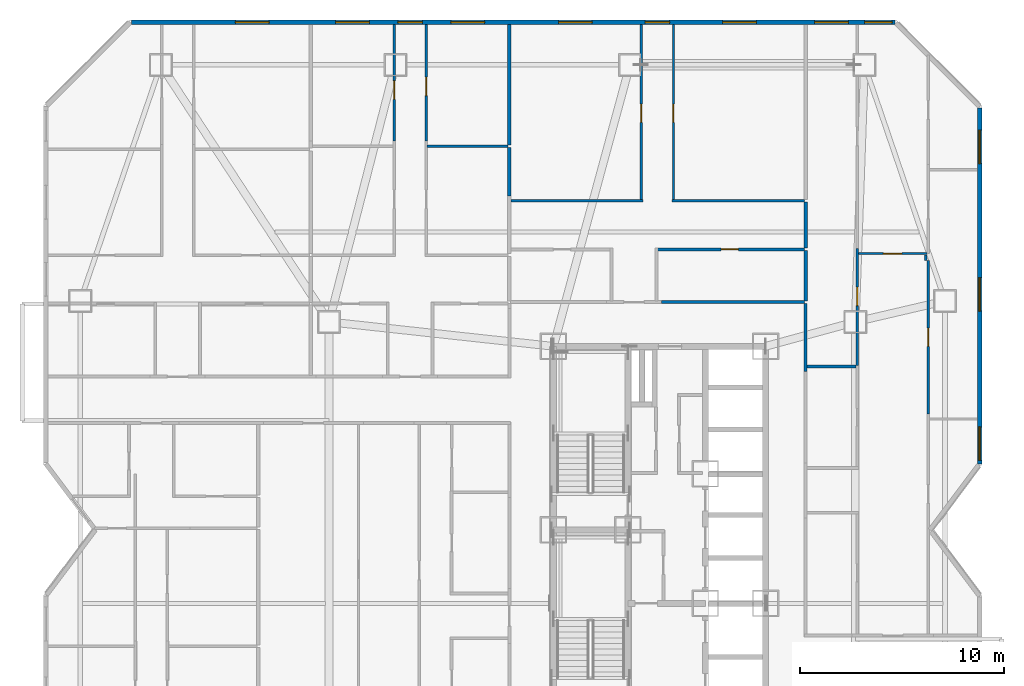
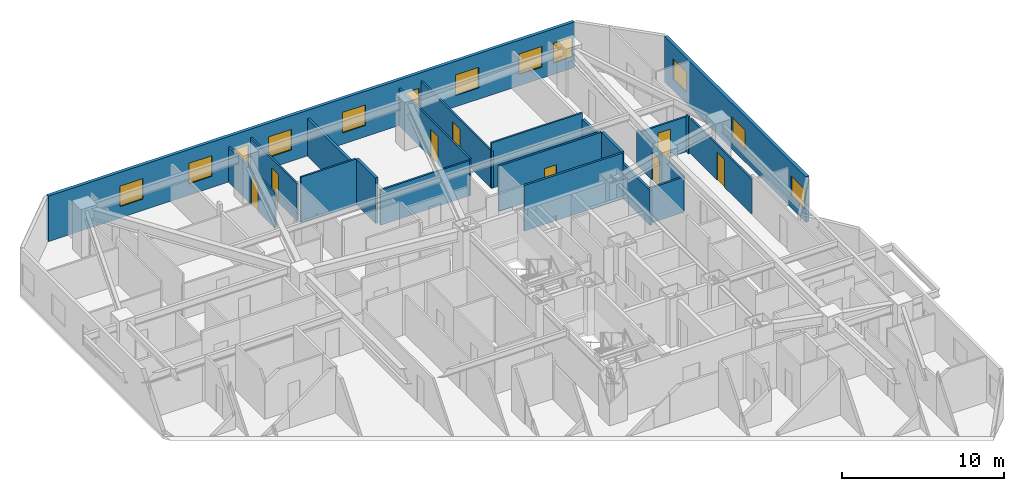
# One storey, part 13 of 17: 21 walls, 12 windows, 8 doors, 20 openings.
"""IFC4 building model written with IfcOpenShell, lengths in metres."""

from ifc_helpers import new_model, si_unit, direction, frame, frame_2d, origin, place, context, subcontext, project, spatial, rectangle, extrude, material, layer, layer_set, type_object, element, fill, save


model = new_model("IFC4")

# Units and contexts
model_context = context("Model", 3, precision=1e-05, world=origin(), true_north=direction((0.0, 1.0)))
body_context = subcontext(model_context, "Body", "Model", "MODEL_VIEW")
ifc_project = project(units=[si_unit("LENGTHUNIT", "METRE"), si_unit("AREAUNIT", "SQUARE_METRE"), si_unit("VOLUMEUNIT", "CUBIC_METRE"), si_unit("PLANEANGLEUNIT", "RADIAN"), si_unit("MASSUNIT", "GRAM", prefix="KILO")], contexts=[model_context])

# Site, building, storey
site_placement = place(None, origin())
site = spatial("IfcSite", under=ifc_project, at=site_placement, CompositionType="ELEMENT")
building_placement = place(site_placement, origin())
building = spatial("IfcBuilding", under=site, at=building_placement, Name="Khamvora Tower", CompositionType="ELEMENT")
storey_placement = place(building_placement, frame((0.0, 0.0, 73.449951171875)))
storey = spatial("IfcBuildingStorey", under=building, at=storey_placement, Name="L18", CompositionType="ELEMENT", Elevation=73.449951171875)

# Walls
ifc_material_1 = material(Name="Fire-Rated Drywall and Steel Stud", Category="steel")
ifc_layer_1 = layer(ifc_material_1, 0.14990234375)
ifc_layer_set_1 = layer_set([ifc_layer_1], Name="Fire-Rated Drywall and Steel Stud")
wall_type_1 = type_object("IfcWallType", Name="WAL-CORR-150", PredefinedType="STANDARD", material=ifc_layer_set_1)
wall_1_placement = place(storey_placement, frame((34.299072265625, 39.1650390625, 0.0), z_axis=(0.0, 0.0, 1.0), x_axis=(1.0, 0.0, 0.0)))
element("IfcWall", 1, at=wall_1_placement, inside=storey, type_object=wall_type_1, Name="L18 interior partition wall 034", PredefinedType="STANDARD", context=body_context, shape_type="SweptSolid", body=[
    extrude(rectangle(XDim=7.0009765625, YDim=0.14990234375, at=frame_2d((3.50048828125, 0.0))), origin(), (0.0, 0.0, 1.0), 3.429931640625),
])
wall_2_placement = place(storey_placement, frame((41.364990234375, 39.10009765625, 0.0), z_axis=(0.0, 0.0, 1.0), x_axis=(0.0, -1.0, 0.0)))
element("IfcWall", 2, at=wall_2_placement, inside=storey, type_object=wall_type_1, Name="L18 interior partition wall 040", PredefinedType="STANDARD", context=body_context, shape_type="SweptSolid", body=[
    extrude(rectangle(XDim=3.343017578125, YDim=0.14990234375, at=frame_2d((1.67138671875, 0.0))), origin(), (0.0, 0.0, 1.0), 2.64697265625),
])
ifc_material_2 = material(Name="Acoustic Double-Stud Fire Wall", Category="gypsum")
ifc_layer_2 = layer(ifc_material_2, 0.179931640625)
ifc_layer_set_2 = layer_set([ifc_layer_2], Name="Acoustic Double-Stud Fire Wall")
wall_type_2 = type_object("IfcWallType", Name="WAL-CORR-180", PredefinedType="STANDARD", material=ifc_layer_set_2)
wall_3_placement = place(storey_placement, frame((26.8349609375, 46.7470703125, 0.0), z_axis=(0.0, 0.0, 1.0), x_axis=(0.0, -1.0, 0.0)))
element("IfcWall", 3, at=wall_3_placement, inside=storey, type_object=wall_type_2, Name="L18 interior partition wall 125", PredefinedType="STANDARD", context=body_context, shape_type="SweptSolid", body=[
    extrude(rectangle(XDim=2.364013671875, YDim=0.179931640625, at=frame_2d((1.18212890625, 0.0))), origin(), (0.0, 0.0, 1.0), 3.429931640625),
])
wall_4_placement = place(storey_placement, frame((26.8349609375, 52.7880859375, 0.0), z_axis=(0.0, 0.0, 1.0), x_axis=(0.0, -1.0, 0.0)))
element("IfcWall", 4, at=wall_4_placement, inside=storey, type_object=wall_type_2, Name="L18 interior partition wall 126", PredefinedType="STANDARD", context=body_context, shape_type="SweptSolid", body=[
    extrude(rectangle(XDim=5.9111328125, YDim=0.179931640625, at=frame_2d((2.95556640625, 0.0))), origin(), (0.0, 0.0, 1.0), 2.802978515625),
])
wall_5_placement = place(storey_placement, frame((41.364990234375, 44.069091796875, 0.0), z_axis=(0.0, 0.0, 1.0), x_axis=(0.0, -1.0, 0.0)))
element("IfcWall", 5, at=wall_5_placement, inside=storey, type_object=wall_type_2, Name="L18 interior partition wall 146", PredefinedType="STANDARD", context=body_context, shape_type="SweptSolid", body=[
    extrude(rectangle(XDim=2.25, YDim=0.179931640625, at=frame_2d((1.125, 0.0))), origin(), (0.0, 0.0, 1.0), 2.95703125),
])
wall_6_placement = place(storey_placement, frame((41.364990234375, 41.68896484375, 0.0), z_axis=(0.0, 0.0, 1.0), x_axis=(0.0, -1.0, 0.0)))
element("IfcWall", 6, at=wall_6_placement, inside=storey, type_object=wall_type_2, Name="L18 interior partition wall 147", PredefinedType="STANDARD", context=body_context, shape_type="SweptSolid", body=[
    extrude(rectangle(XDim=2.458984375, YDim=0.179931640625, at=frame_2d((1.2294921875, 0.0))), origin(), (0.0, 0.0, 1.0), 3.429931640625),
])

# Wall, openings, windows
ifc_material_3 = material(Name="Precast concrete C40/50", Category="concrete")
ifc_layer_3 = layer(ifc_material_3, 0.219970703125)
ifc_layer_set_3 = layer_set([ifc_layer_3], Name="Precast concrete C40/50")
wall_type_3 = type_object("IfcWallType", Name="WAL-EXT-220", PredefinedType="STANDARD", material=ifc_layer_set_3)
wall_7_placement = place(storey_placement, frame((8.31494140625, 52.889892578125, 0.0), z_axis=(0.0, 0.0, 1.0), x_axis=(1.0, 0.0, 0.0)))
wall_7 = element("IfcWall", 7, at=wall_7_placement, inside=storey, type_object=wall_type_3, Name="L18 exterior facade wall 07.1", PredefinedType="STANDARD", context=body_context, shape_type="SweptSolid", body=[
    extrude(rectangle(XDim=37.43896484375, YDim=0.219970703125, at=frame_2d((18.719482421875, 0.0))), origin(), (0.0, 0.0, 1.0), 3.429931640625),
])
opening_1_placement = place(wall_7_placement, frame((5.093017578125, 0.0, 0.85009765625)))
opening_1 = element("IfcOpeningElement", 8, at=opening_1_placement, cuts=wall_7, Name="Opening WN-06", PredefinedType="OPENING", context=body_context, shape_type="SweptSolid", body=[
    extrude(rectangle(XDim=1.64990234375, YDim=1.550048828125, at=frame_2d((0.824951171875, 0.77490234375))), frame((0.0, 0.119873046875, 0.0), z_axis=(0.0, -1.0, 0.0), x_axis=(1.0, 0.0, 0.0)), (0.0, 0.0, 1.0), 0.239990234375),
])
opening_2_placement = place(wall_7_placement, frame((13.054931640625, 0.0, 0.800048828125)))
opening_2 = element("IfcOpeningElement", 9, at=opening_2_placement, cuts=wall_7, Name="Opening WN-03", PredefinedType="OPENING", context=body_context, shape_type="SweptSolid", body=[
    extrude(rectangle(XDim=1.199951171875, YDim=1.5, at=frame_2d((0.60009765625, 0.75))), frame((0.0, 0.119873046875, 0.0), z_axis=(0.0, -1.0, 0.0), x_axis=(1.0, 0.0, 0.0)), (0.0, 0.0, 1.0), 0.239990234375),
])
opening_3_placement = place(wall_7_placement, frame((10.0048828125, 0.0, 0.85009765625)))
opening_3 = element("IfcOpeningElement", 10, at=opening_3_placement, cuts=wall_7, Name="Opening WN-06", PredefinedType="OPENING", context=body_context, shape_type="SweptSolid", body=[
    extrude(rectangle(XDim=1.64990234375, YDim=1.550048828125, at=frame_2d((0.824951171875, 0.77490234375))), frame((0.0, 0.119873046875, 0.0), z_axis=(0.0, -1.0, 0.0), x_axis=(1.0, 0.0, 0.0)), (0.0, 0.0, 1.0), 0.239990234375),
])
opening_4_placement = place(wall_7_placement, frame((15.655029296875, 0.0, 0.85009765625)))
opening_4 = element("IfcOpeningElement", 11, at=opening_4_placement, cuts=wall_7, Name="Opening WN-06", PredefinedType="OPENING", context=body_context, shape_type="SweptSolid", body=[
    extrude(rectangle(XDim=1.64990234375, YDim=1.550048828125, at=frame_2d((0.824951171875, 0.77490234375))), frame((0.0, 0.119873046875, 0.0), z_axis=(0.0, -1.0, 0.0), x_axis=(1.0, 0.0, 0.0)), (0.0, 0.0, 1.0), 0.239990234375),
])
opening_5_placement = place(wall_7_placement, frame((25.18505859375, 0.0, 0.800048828125)))
opening_5 = element("IfcOpeningElement", 12, at=opening_5_placement, cuts=wall_7, Name="Opening WN-03", PredefinedType="OPENING", context=body_context, shape_type="SweptSolid", body=[
    extrude(rectangle(XDim=1.199951171875, YDim=1.5, at=frame_2d((0.60009765625, 0.75))), frame((0.0, 0.119873046875, 0.0), z_axis=(0.0, -1.0, 0.0), x_axis=(1.0, 0.0, 0.0)), (0.0, 0.0, 1.0), 0.239990234375),
])
opening_6_placement = place(wall_7_placement, frame((20.93505859375, 0.0, 0.85009765625)))
opening_6 = element("IfcOpeningElement", 13, at=opening_6_placement, cuts=wall_7, Name="Opening WN-06", PredefinedType="OPENING", context=body_context, shape_type="SweptSolid", body=[
    extrude(rectangle(XDim=1.64990234375, YDim=1.550048828125, at=frame_2d((0.824951171875, 0.77490234375))), frame((0.0, 0.119873046875, 0.0), z_axis=(0.0, -1.0, 0.0), x_axis=(1.0, 0.0, 0.0)), (0.0, 0.0, 1.0), 0.239990234375),
])
opening_7_placement = place(wall_7_placement, frame((28.985107421875, 0.0, 0.85009765625)))
opening_7 = element("IfcOpeningElement", 14, at=opening_7_placement, cuts=wall_7, Name="Opening WN-06", PredefinedType="OPENING", context=body_context, shape_type="SweptSolid", body=[
    extrude(rectangle(XDim=1.64990234375, YDim=1.550048828125, at=frame_2d((0.824951171875, 0.77490234375))), frame((0.0, 0.119873046875, 0.0), z_axis=(0.0, -1.0, 0.0), x_axis=(1.0, 0.0, 0.0)), (0.0, 0.0, 1.0), 0.239990234375),
])
opening_8_placement = place(wall_7_placement, frame((33.489990234375, 0.0, 0.85009765625)))
opening_8 = element("IfcOpeningElement", 15, at=opening_8_placement, cuts=wall_7, Name="Opening WN-06", PredefinedType="OPENING", context=body_context, shape_type="SweptSolid", body=[
    extrude(rectangle(XDim=1.64990234375, YDim=1.550048828125, at=frame_2d((0.824951171875, 0.77490234375))), frame((0.0, 0.119873046875, 0.0), z_axis=(0.0, -1.0, 0.0), x_axis=(1.0, 0.0, 0.0)), (0.0, 0.0, 1.0), 0.239990234375),
])
opening_9_placement = place(wall_7_placement, frame((35.94189453125, 0.0, 0.85009765625)))
opening_9 = element("IfcOpeningElement", 16, at=opening_9_placement, cuts=wall_7, Name="Opening WN-07", PredefinedType="OPENING", context=body_context, shape_type="SweptSolid", body=[
    extrude(rectangle(XDim=1.35009765625, YDim=1.5, at=frame_2d((0.675048828125, 0.75))), frame((0.0, 0.119873046875, 0.0), z_axis=(0.0, -1.0, 0.0), x_axis=(1.0, 0.0, 0.0)), (0.0, 0.0, 1.0), 0.239990234375),
])
ifc_material_4 = material(Name="Low-E Laminated Double Glazing", Category="glass")
window_type_1 = type_object("IfcWindowType", Name="WIN-VIS-1200x1500", PartitioningType="SINGLE_PANEL", PredefinedType="WINDOW", material=ifc_material_4)
window_1_placement = place(opening_2_placement, origin())
window_1 = element("IfcWindow", 17, at=window_1_placement, inside=storey, type_object=window_type_1, Name="L18 vision window 07.1.02", OverallHeight=1.5, OverallWidth=1.199951171875, PartitioningType="SINGLE_PANEL", PredefinedType="WINDOW", context=body_context, shape_type="SweptSolid", body=[
    extrude(rectangle(XDim=1.199951171875, YDim=1.5, at=frame_2d((0.60009765625, 0.75))), frame((0.0, 0.030029296875, 0.0), z_axis=(0.0, -1.0, 0.0), x_axis=(1.0, 0.0, 0.0)), (0.0, 0.0, 1.0), 0.06005859375),
])
fill(opening_2, window_1)
window_2_placement = place(opening_5_placement, origin())
window_2 = element("IfcWindow", 18, at=window_2_placement, inside=storey, type_object=window_type_1, Name="L18 vision window 07.1.05", OverallHeight=1.5, OverallWidth=1.199951171875, PartitioningType="SINGLE_PANEL", PredefinedType="WINDOW", context=body_context, shape_type="SweptSolid", body=[
    extrude(rectangle(XDim=1.199951171875, YDim=1.5, at=frame_2d((0.60009765625, 0.75))), frame((0.0, 0.030029296875, 0.0), z_axis=(0.0, -1.0, 0.0), x_axis=(1.0, 0.0, 0.0)), (0.0, 0.0, 1.0), 0.06005859375),
])
fill(opening_5, window_2)
window_type_2 = type_object("IfcWindowType", Name="WIN-VIS-1350x1500", PartitioningType="SINGLE_PANEL", PredefinedType="WINDOW", material=ifc_material_4)
window_3_placement = place(opening_9_placement, origin())
window_3 = element("IfcWindow", 19, at=window_3_placement, inside=storey, type_object=window_type_2, Name="L18 vision window 07.1.09", OverallHeight=1.5, OverallWidth=1.35009765625, PartitioningType="SINGLE_PANEL", PredefinedType="WINDOW", context=body_context, shape_type="SweptSolid", body=[
    extrude(rectangle(XDim=1.35009765625, YDim=1.5, at=frame_2d((0.675048828125, 0.75))), frame((0.0, 0.030029296875, 0.0), z_axis=(0.0, -1.0, 0.0), x_axis=(1.0, 0.0, 0.0)), (0.0, 0.0, 1.0), 0.06005859375),
])
fill(opening_9, window_3)
window_type_3 = type_object("IfcWindowType", Name="WIN-VIS-1650x1550", PartitioningType="SINGLE_PANEL", PredefinedType="WINDOW", material=ifc_material_4)
window_4_placement = place(opening_1_placement, origin())
window_4 = element("IfcWindow", 20, at=window_4_placement, inside=storey, type_object=window_type_3, Name="L18 vision window 07.1.01", OverallHeight=1.550048828125, OverallWidth=1.64990234375, PartitioningType="SINGLE_PANEL", PredefinedType="WINDOW", context=body_context, shape_type="SweptSolid", body=[
    extrude(rectangle(XDim=1.64990234375, YDim=1.550048828125, at=frame_2d((0.824951171875, 0.77490234375))), frame((0.0, 0.030029296875, 0.0), z_axis=(0.0, -1.0, 0.0), x_axis=(1.0, 0.0, 0.0)), (0.0, 0.0, 1.0), 0.06005859375),
])
fill(opening_1, window_4)
window_5_placement = place(opening_3_placement, origin())
window_5 = element("IfcWindow", 21, at=window_5_placement, inside=storey, type_object=window_type_3, Name="L18 vision window 07.1.03", OverallHeight=1.550048828125, OverallWidth=1.64990234375, PartitioningType="SINGLE_PANEL", PredefinedType="WINDOW", context=body_context, shape_type="SweptSolid", body=[
    extrude(rectangle(XDim=1.64990234375, YDim=1.550048828125, at=frame_2d((0.824951171875, 0.77490234375))), frame((0.0, 0.030029296875, 0.0), z_axis=(0.0, -1.0, 0.0), x_axis=(1.0, 0.0, 0.0)), (0.0, 0.0, 1.0), 0.06005859375),
])
fill(opening_3, window_5)
window_6_placement = place(opening_4_placement, origin())
window_6 = element("IfcWindow", 22, at=window_6_placement, inside=storey, type_object=window_type_3, Name="L18 vision window 07.1.04", OverallHeight=1.550048828125, OverallWidth=1.64990234375, PartitioningType="SINGLE_PANEL", PredefinedType="WINDOW", context=body_context, shape_type="SweptSolid", body=[
    extrude(rectangle(XDim=1.64990234375, YDim=1.550048828125, at=frame_2d((0.824951171875, 0.77490234375))), frame((0.0, 0.030029296875, 0.0), z_axis=(0.0, -1.0, 0.0), x_axis=(1.0, 0.0, 0.0)), (0.0, 0.0, 1.0), 0.06005859375),
])
fill(opening_4, window_6)
window_7_placement = place(opening_6_placement, origin())
window_7 = element("IfcWindow", 23, at=window_7_placement, inside=storey, type_object=window_type_3, Name="L18 vision window 07.1.06", OverallHeight=1.550048828125, OverallWidth=1.64990234375, PartitioningType="SINGLE_PANEL", PredefinedType="WINDOW", context=body_context, shape_type="SweptSolid", body=[
    extrude(rectangle(XDim=1.64990234375, YDim=1.550048828125, at=frame_2d((0.824951171875, 0.77490234375))), frame((0.0, 0.030029296875, 0.0), z_axis=(0.0, -1.0, 0.0), x_axis=(1.0, 0.0, 0.0)), (0.0, 0.0, 1.0), 0.06005859375),
])
fill(opening_6, window_7)
window_8_placement = place(opening_7_placement, origin())
window_8 = element("IfcWindow", 24, at=window_8_placement, inside=storey, type_object=window_type_3, Name="L18 vision window 07.1.07", OverallHeight=1.550048828125, OverallWidth=1.64990234375, PartitioningType="SINGLE_PANEL", PredefinedType="WINDOW", context=body_context, shape_type="SweptSolid", body=[
    extrude(rectangle(XDim=1.64990234375, YDim=1.550048828125, at=frame_2d((0.824951171875, 0.77490234375))), frame((0.0, 0.030029296875, 0.0), z_axis=(0.0, -1.0, 0.0), x_axis=(1.0, 0.0, 0.0)), (0.0, 0.0, 1.0), 0.06005859375),
])
fill(opening_7, window_8)
window_9_placement = place(opening_8_placement, origin())
window_9 = element("IfcWindow", 25, at=window_9_placement, inside=storey, type_object=window_type_3, Name="L18 vision window 07.1.08", OverallHeight=1.550048828125, OverallWidth=1.64990234375, PartitioningType="SINGLE_PANEL", PredefinedType="WINDOW", context=body_context, shape_type="SweptSolid", body=[
    extrude(rectangle(XDim=1.64990234375, YDim=1.550048828125, at=frame_2d((0.824951171875, 0.77490234375))), frame((0.0, 0.030029296875, 0.0), z_axis=(0.0, -1.0, 0.0), x_axis=(1.0, 0.0, 0.0)), (0.0, 0.0, 1.0), 0.06005859375),
])
fill(opening_8, window_9)

wall_8_placement = place(storey_placement, frame((49.889892578125, 48.68310546875, 0.0), z_axis=(0.0, 0.0, 1.0), x_axis=(0.0, -1.0, 0.0)))
wall_8 = element("IfcWall", 26, at=wall_8_placement, inside=storey, type_object=wall_type_3, Name="L18 exterior facade wall 09.1", PredefinedType="STANDARD", context=body_context, shape_type="SweptSolid", body=[
    extrude(rectangle(XDim=17.446044921875, YDim=0.219970703125, at=frame_2d((8.72314453125, 0.0))), origin(), (0.0, 0.0, 1.0), 3.429931640625),
])
opening_10_placement = place(wall_8_placement, frame((15.6279296875, 0.0, 0.85009765625)))
opening_10 = element("IfcOpeningElement", 27, at=opening_10_placement, cuts=wall_8, Name="Opening WN-06", PredefinedType="OPENING", context=body_context, shape_type="SweptSolid", body=[
    extrude(rectangle(XDim=1.64990234375, YDim=1.550048828125, at=frame_2d((0.824951171875, 0.77490234375))), frame((0.0, 0.119873046875, 0.0), z_axis=(0.0, -1.0, 0.0), x_axis=(1.0, 0.0, 0.0)), (0.0, 0.0, 1.0), 0.239990234375),
])
opening_11_placement = place(wall_8_placement, frame((8.31005859375, 0.0, 0.85009765625)))
opening_11 = element("IfcOpeningElement", 28, at=opening_11_placement, cuts=wall_8, Name="Opening WN-06", PredefinedType="OPENING", context=body_context, shape_type="SweptSolid", body=[
    extrude(rectangle(XDim=1.64990234375, YDim=1.550048828125, at=frame_2d((0.824951171875, 0.77490234375))), frame((0.0, 0.119873046875, 0.0), z_axis=(0.0, -1.0, 0.0), x_axis=(1.0, 0.0, 0.0)), (0.0, 0.0, 1.0), 0.239990234375),
])
opening_12_placement = place(wall_8_placement, frame((1.080078125, 0.0, 0.85009765625)))
opening_12 = element("IfcOpeningElement", 29, at=opening_12_placement, cuts=wall_8, Name="Opening WN-06", PredefinedType="OPENING", context=body_context, shape_type="SweptSolid", body=[
    extrude(rectangle(XDim=1.64990234375, YDim=1.550048828125, at=frame_2d((0.824951171875, 0.77490234375))), frame((0.0, 0.119873046875, 0.0), z_axis=(0.0, -1.0, 0.0), x_axis=(1.0, 0.0, 0.0)), (0.0, 0.0, 1.0), 0.239990234375),
])
window_10_placement = place(opening_10_placement, origin())
window_10 = element("IfcWindow", 30, at=window_10_placement, inside=storey, type_object=window_type_3, Name="L18 vision window 09.1.01", OverallHeight=1.550048828125, OverallWidth=1.64990234375, PartitioningType="SINGLE_PANEL", PredefinedType="WINDOW", context=body_context, shape_type="SweptSolid", body=[
    extrude(rectangle(XDim=1.64990234375, YDim=1.550048828125, at=frame_2d((0.824951171875, 0.77490234375))), frame((0.0, 0.030029296875, 0.0), z_axis=(0.0, -1.0, 0.0), x_axis=(1.0, 0.0, 0.0)), (0.0, 0.0, 1.0), 0.06005859375),
])
fill(opening_10, window_10)
window_11_placement = place(opening_11_placement, origin())
window_11 = element("IfcWindow", 31, at=window_11_placement, inside=storey, type_object=window_type_3, Name="L18 vision window 09.1.02", OverallHeight=1.550048828125, OverallWidth=1.64990234375, PartitioningType="SINGLE_PANEL", PredefinedType="WINDOW", context=body_context, shape_type="SweptSolid", body=[
    extrude(rectangle(XDim=1.64990234375, YDim=1.550048828125, at=frame_2d((0.824951171875, 0.77490234375))), frame((0.0, 0.030029296875, 0.0), z_axis=(0.0, -1.0, 0.0), x_axis=(1.0, 0.0, 0.0)), (0.0, 0.0, 1.0), 0.06005859375),
])
fill(opening_11, window_11)
window_12_placement = place(opening_12_placement, origin())
window_12 = element("IfcWindow", 32, at=window_12_placement, inside=storey, type_object=window_type_3, Name="L18 vision window 09.1.03", OverallHeight=1.550048828125, OverallWidth=1.64990234375, PartitioningType="SINGLE_PANEL", PredefinedType="WINDOW", context=body_context, shape_type="SweptSolid", body=[
    extrude(rectangle(XDim=1.64990234375, YDim=1.550048828125, at=frame_2d((0.824951171875, 0.77490234375))), frame((0.0, 0.030029296875, 0.0), z_axis=(0.0, -1.0, 0.0), x_axis=(1.0, 0.0, 0.0)), (0.0, 0.0, 1.0), 0.06005859375),
])
fill(opening_12, window_12)

# Wall, opening, door
ifc_material_5 = material(Name="Gypsum Plasterboard Partition", Category="gypsum")
ifc_layer_4 = layer(ifc_material_5, 0.1201171875)
ifc_layer_set_4 = layer_set([ifc_layer_4], Name="Gypsum Plasterboard Partition")
wall_type_4 = type_object("IfcWallType", Name="WAL-PART-120", PredefinedType="PARTITIONING", material=ifc_layer_set_4)
wall_9_placement = place(storey_placement, frame((21.18505859375, 47.06103515625, 0.0), z_axis=(0.0, 0.0, 1.0), x_axis=(0.0, 1.0, 0.0)))
wall_9 = element("IfcWall", 33, at=wall_9_placement, inside=storey, type_object=wall_type_4, Name="L18 interior partition wall 117", PredefinedType="PARTITIONING", context=body_context, shape_type="SweptSolid", body=[
    extrude(rectangle(XDim=5.72705078125, YDim=0.1201171875, at=frame_2d((2.863525390625, 0.0))), origin(), (0.0, 0.0, 1.0), 2.64697265625),
])
opening_13_placement = place(wall_9_placement, frame((2.052978515625, 0.0, 0.0)))
opening_13 = element("IfcOpeningElement", 34, at=opening_13_placement, cuts=wall_9, Name="Opening D-RM1", PredefinedType="OPENING", context=body_context, shape_type="SweptSolid", body=[
    extrude(rectangle(XDim=0.89990234375, YDim=2.10009765625, at=frame_2d((0.449951171875, 1.050048828125))), frame((0.0, 0.070068359375, 0.0), z_axis=(0.0, -1.0, 0.0), x_axis=(1.0, 0.0, 0.0)), (0.0, 0.0, 1.0), 0.14013671875),
])
ifc_material_6 = material(Name="Powder-Coated Steel and Hardwood Leaf", Category="steel")
door_type_1 = type_object("IfcDoorType", Name="DOR-ROOM-900", OperationType="NOTDEFINED", PredefinedType="DOOR", material=ifc_material_6)
door_1_placement = place(opening_13_placement, origin())
door_1 = element("IfcDoor", 35, at=door_1_placement, inside=storey, type_object=door_type_1, Name="L18 interior door 18WCH-18WCR2", OperationType="SINGLE_SWING_LEFT", OverallHeight=2.10009765625, OverallWidth=0.89990234375, PredefinedType="DOOR", context=body_context, shape_type="SweptSolid", body=[
    extrude(rectangle(XDim=0.89990234375, YDim=2.10009765625, at=frame_2d((0.449951171875, 1.050048828125))), frame((0.0, 0.02490234375, 0.0), z_axis=(0.0, -1.0, 0.0), x_axis=(1.0, 0.0, 0.0)), (0.0, 0.0, 1.0), 0.050048828125),
])
fill(opening_13, door_1)

wall_10_placement = place(storey_placement, frame((22.7548828125, 52.7880859375, 0.0), z_axis=(0.0, 0.0, 1.0), x_axis=(0.0, -1.0, 0.0)))
wall_10 = element("IfcWall", 36, at=wall_10_placement, inside=storey, type_object=wall_type_4, Name="L18 interior partition wall 120", PredefinedType="PARTITIONING", context=body_context, shape_type="SweptSolid", body=[
    extrude(rectangle(XDim=5.72705078125, YDim=0.1201171875, at=frame_2d((2.863525390625, 0.0))), origin(), (0.0, 0.0, 1.0), 2.802978515625),
])
opening_14_placement = place(wall_10_placement, frame((2.593994140625, 0.0, 0.0)))
opening_14 = element("IfcOpeningElement", 37, at=opening_14_placement, cuts=wall_10, Name="Opening D-RM1", PredefinedType="OPENING", context=body_context, shape_type="SweptSolid", body=[
    extrude(rectangle(XDim=0.89990234375, YDim=2.10009765625, at=frame_2d((0.449951171875, 1.050048828125))), frame((0.0, 0.070068359375, 0.0), z_axis=(0.0, -1.0, 0.0), x_axis=(1.0, 0.0, 0.0)), (0.0, 0.0, 1.0), 0.14013671875),
])
door_2_placement = place(opening_14_placement, origin())
door_2 = element("IfcDoor", 38, at=door_2_placement, inside=storey, type_object=door_type_1, Name="L18 interior door 18WCH-18WCR4", OperationType="SINGLE_SWING_RIGHT", OverallHeight=2.10009765625, OverallWidth=0.89990234375, PredefinedType="DOOR", context=body_context, shape_type="SweptSolid", body=[
    extrude(rectangle(XDim=0.89990234375, YDim=2.10009765625, at=frame_2d((0.449951171875, 1.050048828125))), frame((0.0, 0.02490234375, 0.0), z_axis=(0.0, -1.0, 0.0), x_axis=(1.0, 0.0, 0.0)), (0.0, 0.0, 1.0), 0.050048828125),
])
fill(opening_14, door_2)

# Walls
wall_11_placement = place(storey_placement, frame((22.80908203125, 46.81201171875, 0.0), z_axis=(0.0, 0.0, 1.0), x_axis=(1.0, 0.0, 0.0)))
element("IfcWall", 39, at=wall_11_placement, inside=storey, type_object=wall_type_4, Name="L18 interior partition wall 123", PredefinedType="PARTITIONING", context=body_context, shape_type="SweptSolid", body=[
    extrude(rectangle(XDim=3.9609375, YDim=0.1201171875, at=frame_2d((1.98046875, 0.0))), origin(), (0.0, 0.0, 1.0), 3.429931640625),
])
wall_12_placement = place(storey_placement, frame((26.9169921875, 44.134033203125, 0.0), z_axis=(0.0, 0.0, 1.0), x_axis=(1.0, 0.0, 0.0)))
element("IfcWall", 40, at=wall_12_placement, inside=storey, type_object=wall_type_4, Name="L18 interior partition wall 142", PredefinedType="PARTITIONING", context=body_context, shape_type="SweptSolid", body=[
    extrude(rectangle(XDim=6.462890625, YDim=0.1201171875, at=frame_2d((3.2314453125, 0.0))), origin(), (0.0, 0.0, 1.0), 2.64697265625),
])

# Wall, opening, door
wall_13_placement = place(storey_placement, frame((33.31494140625, 44.069091796875, 0.0), z_axis=(0.0, 0.0, 1.0), x_axis=(0.0, 1.0, 0.0)))
wall_13 = element("IfcWall", 41, at=wall_13_placement, inside=storey, type_object=wall_type_4, Name="L18 interior partition wall 143", PredefinedType="PARTITIONING", context=body_context, shape_type="SweptSolid", body=[
    extrude(rectangle(XDim=8.718994140625, YDim=0.1201171875, at=frame_2d((4.359375, 0.0))), origin(), (0.0, 0.0, 1.0), 2.802978515625),
])
opening_15_placement = place(wall_13_placement, frame((3.908935546875, 0.0, 0.0)))
opening_15 = element("IfcOpeningElement", 42, at=opening_15_placement, cuts=wall_13, Name="Opening D-RM1", PredefinedType="OPENING", context=body_context, shape_type="SweptSolid", body=[
    extrude(rectangle(XDim=0.89990234375, YDim=2.10009765625, at=frame_2d((0.449951171875, 1.050048828125))), frame((0.0, 0.070068359375, 0.0), z_axis=(0.0, -1.0, 0.0), x_axis=(1.0, 0.0, 0.0)), (0.0, 0.0, 1.0), 0.14013671875),
])
door_3_placement = place(opening_15_placement, origin())
door_3 = element("IfcDoor", 43, at=door_3_placement, inside=storey, type_object=door_type_1, Name="L18 interior door 18NAH-18NAR1", OperationType="SINGLE_SWING_RIGHT", OverallHeight=2.10009765625, OverallWidth=0.89990234375, PredefinedType="DOOR", context=body_context, shape_type="SweptSolid", body=[
    extrude(rectangle(XDim=0.89990234375, YDim=2.10009765625, at=frame_2d((0.449951171875, 1.050048828125))), frame((0.0, 0.02490234375, 0.0), z_axis=(0.0, -1.0, 0.0), x_axis=(1.0, 0.0, 0.0)), (0.0, 0.0, 1.0), 0.050048828125),
])
fill(opening_15, door_3)

wall_14_placement = place(storey_placement, frame((34.885009765625, 52.7880859375, 0.0), z_axis=(0.0, 0.0, 1.0), x_axis=(0.0, -1.0, 0.0)))
wall_14 = element("IfcWall", 44, at=wall_14_placement, inside=storey, type_object=wall_type_4, Name="L18 interior partition wall 144", PredefinedType="PARTITIONING", context=body_context, shape_type="SweptSolid", body=[
    extrude(rectangle(XDim=8.718994140625, YDim=0.1201171875, at=frame_2d((4.359375, 0.0))), origin(), (0.0, 0.0, 1.0), 2.802978515625),
])
opening_16_placement = place(wall_14_placement, frame((3.908935546875, 0.0, 0.0)))
opening_16 = element("IfcOpeningElement", 45, at=opening_16_placement, cuts=wall_14, Name="Opening D-RM1", PredefinedType="OPENING", context=body_context, shape_type="SweptSolid", body=[
    extrude(rectangle(XDim=0.89990234375, YDim=2.10009765625, at=frame_2d((0.449951171875, 1.050048828125))), frame((0.0, 0.070068359375, 0.0), z_axis=(0.0, -1.0, 0.0), x_axis=(1.0, 0.0, 0.0)), (0.0, 0.0, 1.0), 0.14013671875),
])
door_4_placement = place(opening_16_placement, origin())
door_4 = element("IfcDoor", 46, at=door_4_placement, inside=storey, type_object=door_type_1, Name="L18 interior door 18NAH-18NAR2", OperationType="SINGLE_SWING_LEFT", OverallHeight=2.10009765625, OverallWidth=0.89990234375, PredefinedType="DOOR", context=body_context, shape_type="SweptSolid", body=[
    extrude(rectangle(XDim=0.89990234375, YDim=2.10009765625, at=frame_2d((0.449951171875, 1.050048828125))), frame((0.0, 0.02490234375, 0.0), z_axis=(0.0, -1.0, 0.0), x_axis=(1.0, 0.0, 0.0)), (0.0, 0.0, 1.0), 0.050048828125),
])
fill(opening_16, door_4)

# Wall
wall_15_placement = place(storey_placement, frame((34.820068359375, 44.134033203125, 0.0), z_axis=(0.0, 0.0, 1.0), x_axis=(1.0, 0.0, 0.0)))
element("IfcWall", 47, at=wall_15_placement, inside=storey, type_object=wall_type_4, Name="L18 interior partition wall 145", PredefinedType="PARTITIONING", context=body_context, shape_type="SweptSolid", body=[
    extrude(rectangle(XDim=6.47998046875, YDim=0.1201171875, at=frame_2d((3.239990234375, 0.0))), origin(), (0.0, 0.0, 1.0), 3.429931640625),
])

# Wall, opening, door
wall_16_placement = place(storey_placement, frame((43.89501953125, 41.800048828125, 0.0), z_axis=(0.0, 0.0, 1.0), x_axis=(0.0, -1.0, 0.0)))
wall_16 = element("IfcWall", 48, at=wall_16_placement, inside=storey, type_object=wall_type_4, Name="L18 interior partition wall 161", PredefinedType="PARTITIONING", context=body_context, shape_type="SweptSolid", body=[
    extrude(rectangle(XDim=5.72900390625, YDim=0.1201171875, at=frame_2d((2.864501953125, 0.0))), origin(), (0.0, 0.0, 1.0), 2.64697265625),
])
opening_17_placement = place(wall_16_placement, frame((1.89892578125, 0.0, 0.0)))
opening_17 = element("IfcOpeningElement", 49, at=opening_17_placement, cuts=wall_16, Name="Opening D-RM1", PredefinedType="OPENING", context=body_context, shape_type="SweptSolid", body=[
    extrude(rectangle(XDim=0.89990234375, YDim=2.10009765625, at=frame_2d((0.449951171875, 1.050048828125))), frame((0.0, 0.070068359375, 0.0), z_axis=(0.0, -1.0, 0.0), x_axis=(1.0, 0.0, 0.0)), (0.0, 0.0, 1.0), 0.14013671875),
])
door_5_placement = place(opening_17_placement, origin())
door_5 = element("IfcDoor", 50, at=door_5_placement, inside=storey, type_object=door_type_1, Name="L18 interior door 18EBW2-18EBH", OperationType="SINGLE_SWING_LEFT", OverallHeight=2.10009765625, OverallWidth=0.89990234375, PredefinedType="DOOR", context=body_context, shape_type="SweptSolid", body=[
    extrude(rectangle(XDim=0.89990234375, YDim=2.10009765625, at=frame_2d((0.449951171875, 1.050048828125))), frame((0.0, 0.02490234375, 0.0), z_axis=(0.0, -1.0, 0.0), x_axis=(1.0, 0.0, 0.0)), (0.0, 0.0, 1.0), 0.050048828125),
])
fill(opening_17, door_5)

wall_17_placement = place(storey_placement, frame((43.948974609375, 41.551025390625, 0.0), z_axis=(0.0, 0.0, 1.0), x_axis=(1.0, 0.0, 0.0)))
wall_17 = element("IfcWall", 51, at=wall_17_placement, inside=storey, type_object=wall_type_4, Name="L18 interior partition wall 164", PredefinedType="PARTITIONING", context=body_context, shape_type="SweptSolid", body=[
    extrude(rectangle(XDim=3.361083984375, YDim=0.1201171875, at=frame_2d((1.6806640625, 0.0))), origin(), (0.0, 0.0, 1.0), 2.64697265625),
])
opening_18_placement = place(wall_17_placement, frame((1.23095703125, 0.0, 0.0)))
opening_18 = element("IfcOpeningElement", 52, at=opening_18_placement, cuts=wall_17, Name="Opening D-RM1", PredefinedType="OPENING", context=body_context, shape_type="SweptSolid", body=[
    extrude(rectangle(XDim=0.89990234375, YDim=2.10009765625, at=frame_2d((0.449951171875, 1.050048828125))), frame((0.0, 0.070068359375, 0.0), z_axis=(0.0, -1.0, 0.0), x_axis=(1.0, 0.0, 0.0)), (0.0, 0.0, 1.0), 0.14013671875),
])
door_6_placement = place(opening_18_placement, origin())
door_6 = element("IfcDoor", 53, at=door_6_placement, inside=storey, type_object=door_type_1, Name="L18 interior door 18EBH-18EBD", OperationType="SINGLE_SWING_LEFT", OverallHeight=2.10009765625, OverallWidth=0.89990234375, PredefinedType="DOOR", context=body_context, shape_type="SweptSolid", body=[
    extrude(rectangle(XDim=0.89990234375, YDim=2.10009765625, at=frame_2d((0.449951171875, 1.050048828125))), frame((0.0, 0.02490234375, 0.0), z_axis=(0.0, -1.0, 0.0), x_axis=(1.0, 0.0, 0.0)), (0.0, 0.0, 1.0), 0.050048828125),
])
fill(opening_18, door_6)

# Wall
wall_18_placement = place(storey_placement, frame((47.2451171875, 41.486083984375, 0.0), z_axis=(0.0, 0.0, 1.0), x_axis=(0.0, -1.0, 0.0)))
element("IfcWall", 54, at=wall_18_placement, inside=storey, type_object=wall_type_4, Name="L18 interior partition wall 165", PredefinedType="PARTITIONING", context=body_context, shape_type="SweptSolid", body=[
    extrude(rectangle(XDim=0.275146484375, YDim=0.1201171875, at=frame_2d((0.1376953125, 0.0))), origin(), (0.0, 0.0, 1.0), 2.802978515625),
])

# Wall, opening, door
wall_19_placement = place(storey_placement, frame((47.375, 41.2109375, 0.0), z_axis=(0.0, 0.0, 1.0), x_axis=(0.0, -1.0, 0.0)))
wall_19 = element("IfcWall", 55, at=wall_19_placement, inside=storey, type_object=wall_type_4, Name="L18 interior partition wall 171", PredefinedType="PARTITIONING", context=body_context, shape_type="SweptSolid", body=[
    extrude(rectangle(XDim=7.52392578125, YDim=0.1201171875, at=frame_2d((3.761962890625, 0.0))), origin(), (0.0, 0.0, 1.0), 2.64697265625),
])
opening_19_placement = place(wall_19_placement, frame((3.31201171875, 0.0, 0.0)))
opening_19 = element("IfcOpeningElement", 56, at=opening_19_placement, cuts=wall_19, Name="Opening D-RM1", PredefinedType="OPENING", context=body_context, shape_type="SweptSolid", body=[
    extrude(rectangle(XDim=0.89990234375, YDim=2.10009765625, at=frame_2d((0.449951171875, 1.050048828125))), frame((0.0, 0.070068359375, 0.0), z_axis=(0.0, -1.0, 0.0), x_axis=(1.0, 0.0, 0.0)), (0.0, 0.0, 1.0), 0.14013671875),
])
door_7_placement = place(opening_19_placement, origin())
door_7 = element("IfcDoor", 57, at=door_7_placement, inside=storey, type_object=door_type_1, Name="L18 interior door 18EBH-18EBR2", OperationType="SINGLE_SWING_RIGHT", OverallHeight=2.10009765625, OverallWidth=0.89990234375, PredefinedType="DOOR", context=body_context, shape_type="SweptSolid", body=[
    extrude(rectangle(XDim=0.89990234375, YDim=2.10009765625, at=frame_2d((0.449951171875, 1.050048828125))), frame((0.0, 0.02490234375, 0.0), z_axis=(0.0, -1.0, 0.0), x_axis=(1.0, 0.0, 0.0)), (0.0, 0.0, 1.0), 0.050048828125),
])
fill(opening_19, door_7)

ifc_material_7 = material(Name="Moisture-Resistant Plasterboard Partition", Category="gypsum")
ifc_layer_5 = layer(ifc_material_7, 0.135009765625)
ifc_layer_set_5 = layer_set([ifc_layer_5], Name="Moisture-Resistant Plasterboard Partition")
wall_type_5 = type_object("IfcWallType", Name="WAL-WET-135", PredefinedType="PARTITIONING", material=ifc_layer_set_5)
wall_20_placement = place(storey_placement, frame((41.300048828125, 41.75390625, 0.0), z_axis=(0.0, 0.0, 1.0), x_axis=(-1.0, 0.0, 0.0)))
wall_20 = element("IfcWall", 58, at=wall_20_placement, inside=storey, type_object=wall_type_5, Name="L18 interior partition wall 140", PredefinedType="PARTITIONING", context=body_context, shape_type="SweptSolid", body=[
    extrude(rectangle(XDim=7.31494140625, YDim=0.135009765625, at=frame_2d((3.657470703125, 0.0))), origin(), (0.0, 0.0, 1.0), 3.429931640625),
])
opening_20_placement = place(wall_20_placement, frame((3.23291015625, 0.0, 0.0)))
opening_20 = element("IfcOpeningElement", 59, at=opening_20_placement, cuts=wall_20, Name="Opening D-RM2", PredefinedType="OPENING", context=body_context, shape_type="SweptSolid", body=[
    extrude(rectangle(XDim=0.85009765625, YDim=2.10009765625, at=frame_2d((0.425048828125, 1.050048828125))), frame((0.0, 0.077392578125, 0.0), z_axis=(0.0, -1.0, 0.0), x_axis=(1.0, 0.0, 0.0)), (0.0, 0.0, 1.0), 0.155029296875),
])
door_type_2 = type_object("IfcDoorType", Name="DOR-ROOM-850", OperationType="NOTDEFINED", PredefinedType="DOOR", material=ifc_material_6)
door_8_placement = place(opening_20_placement, origin())
door_8 = element("IfcDoor", 60, at=door_8_placement, inside=storey, type_object=door_type_2, Name="L18 interior door 18NAH-18NAK", OperationType="SINGLE_SWING_LEFT", OverallHeight=2.10009765625, OverallWidth=0.85009765625, PredefinedType="DOOR", context=body_context, shape_type="SweptSolid", body=[
    extrude(rectangle(XDim=0.85009765625, YDim=2.10009765625, at=frame_2d((0.425048828125, 1.050048828125))), frame((0.0, 0.02490234375, 0.0), z_axis=(0.0, -1.0, 0.0), x_axis=(1.0, 0.0, 0.0)), (0.0, 0.0, 1.0), 0.050048828125),
])
fill(opening_20, door_8)

# Wall
wall_21_placement = place(storey_placement, frame((43.830078125, 36.006103515625, 0.0), z_axis=(0.0, 0.0, 1.0), x_axis=(-1.0, 0.0, 0.0)))
element("IfcWall", 61, at=wall_21_placement, inside=storey, type_object=wall_type_5, Name="L18 interior partition wall 163", PredefinedType="PARTITIONING", context=body_context, shape_type="SweptSolid", body=[
    extrude(rectangle(XDim=2.398193359375, YDim=0.135009765625, at=frame_2d((1.19921875, 0.0))), origin(), (0.0, 0.0, 1.0), 2.64697265625),
])

save(model, "model.ifc")
